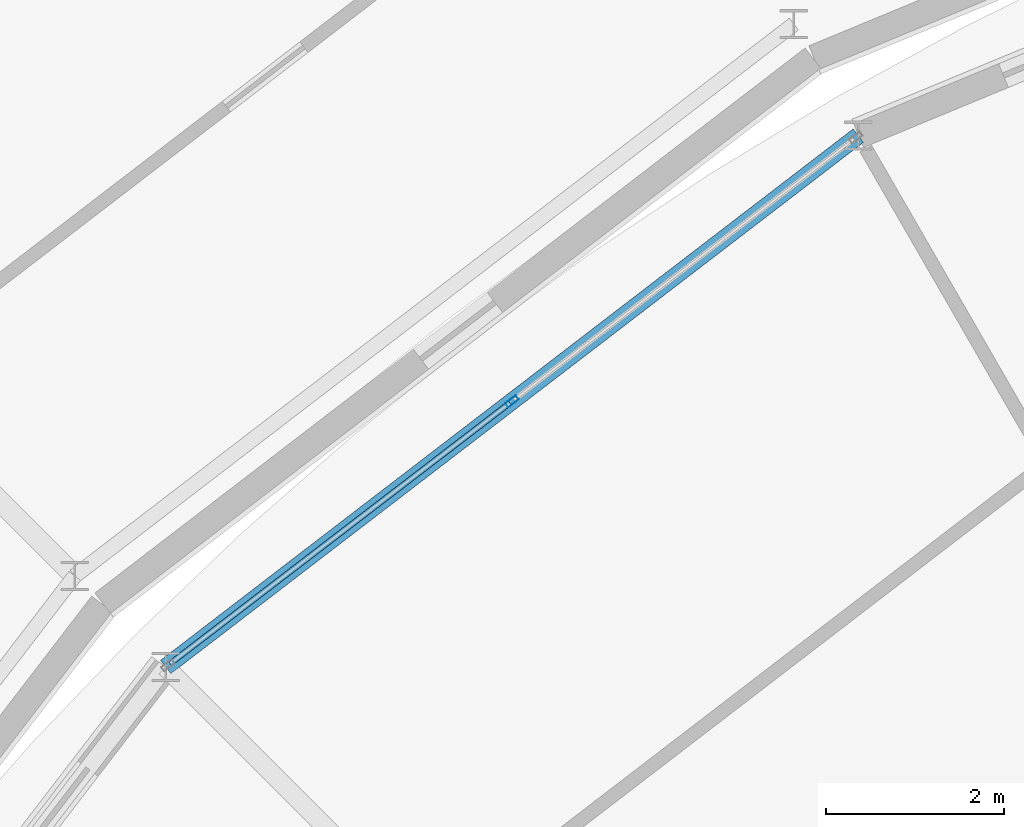
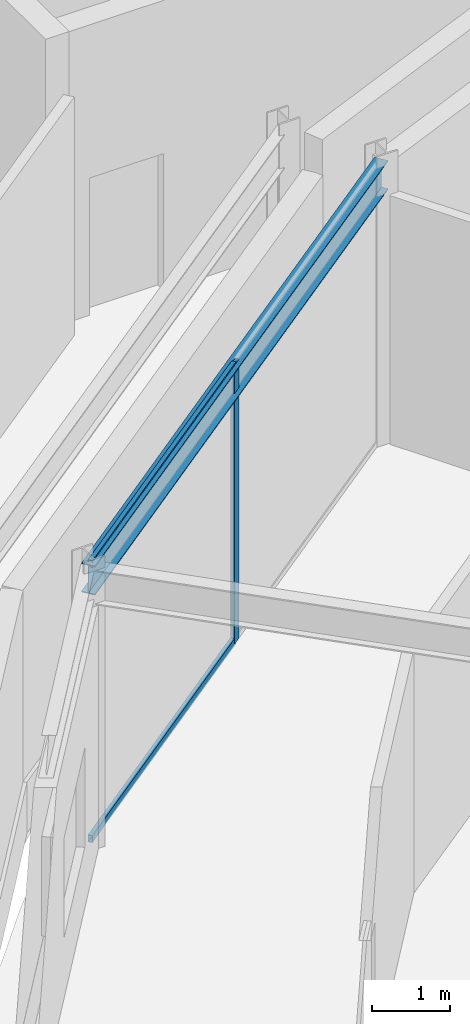
# One storey, part 54 of 133: 3 members, 1 beam, 1 element without a shape of its own.
"""IFC4 building model written with IfcOpenShell, lengths in metres."""

import ifcopenshell
import ifcopenshell.guid

model = None  # the IFC model being written
_history = None  # IfcOwnerHistory: only IFC2X3 demands one
_inside = {}  # id of a spatial element -> (the spatial element, [elements in it])
_under = {}  # id of a project, library or spatial element -> (it, [spatial elements below it])
_declared = {}  # id of a project -> (the project, [libraries it declares])
_typed = {}  # id of a type object -> (the type object, [elements of that type])
_made_of = {}  # id of a material, layer set ... -> (it, [elements and type objects made of it])


def new_model(schema):
    """Start an empty IFC model of exactly this schema.

    Asked for "IFC4X3", IfcOpenShell would pick the latest addendum, in which some entities
    have other attributes; the version numbers below select the first issue.
    IFC2X3 requires an IfcOwnerHistory on every rooted entity: one is made here for all.
    """
    global model, _history
    if schema == "IFC4X3":
        model = ifcopenshell.file(schema_version=(4, 3, 0, 0))
    else:
        model = ifcopenshell.file(schema=schema)
    _inside.clear()
    _under.clear()
    _declared.clear()
    _typed.clear()
    _made_of.clear()
    _history = None
    if model.schema == "IFC2X3":
        org = make("IfcOrganization", Name="unknown")
        user = make(
            "IfcPersonAndOrganization",
            ThePerson=make("IfcPerson", FamilyName="unknown"),
            TheOrganization=org,
        )
        app = make(
            "IfcApplication",
            ApplicationDeveloper=org,
            Version="unknown",
            ApplicationFullName="unknown",
            ApplicationIdentifier="unknown",
        )
        _history = make(
            "IfcOwnerHistory",
            OwningUser=user,
            OwningApplication=app,
            ChangeAction="ADDED",
            CreationDate=0,
        )
    return model


def make(cls, **values):
    """One entity of the class cls with the attributes given. An attribute that is None is left unset."""
    return model.create_entity(
        cls, **{name: value for name, value in values.items() if value is not None}
    )


def rooted(cls, **values):
    """An entity with a GlobalId (a new one), such as an element, a storey or a relation."""
    return make(cls, GlobalId=ifcopenshell.guid.new(), OwnerHistory=_history, **values)


def si_unit(unit_type, name, prefix=None):
    """IfcSIUnit, for example si_unit("LENGTHUNIT", "METRE", prefix="MILLI")."""
    return make("IfcSIUnit", UnitType=unit_type, Prefix=prefix, Name=name)


def assignment(units):
    """IfcUnitAssignment: the units of a project."""
    return None if units is None else make("IfcUnitAssignment", Units=units)


def point(xyz):
    """IfcCartesianPoint."""
    return None if xyz is None else make("IfcCartesianPoint", Coordinates=xyz)


def direction(xyz):
    """IfcDirection."""
    return None if xyz is None else make("IfcDirection", DirectionRatios=xyz)


def frame(location, z_axis=None, x_axis=None):
    """IfcAxis2Placement3D, a coordinate frame: its origin and axes. An axis left out is left unset."""
    return make(
        "IfcAxis2Placement3D",
        Location=point(location),
        Axis=direction(z_axis),
        RefDirection=direction(x_axis),
    )


def frame_2d(location, x_axis=None):
    """IfcAxis2Placement2D, a coordinate frame in the plane: its origin and x axis."""
    return make(
        "IfcAxis2Placement2D", Location=point(location), RefDirection=direction(x_axis)
    )


def origin():
    """The frame at (0, 0, 0) with its axes left unset."""
    return frame((0.0, 0.0, 0.0))


def origin_2d():
    """The frame at (0, 0) in the plane with its x axis left unset."""
    return frame_2d((0.0, 0.0))


def place(relative_to, where):
    """IfcLocalPlacement: puts the frame where relative to a parent placement (None: the world)."""
    return make(
        "IfcLocalPlacement", PlacementRelTo=relative_to, RelativePlacement=where
    )


def context(
    kind, dimensions, precision=None, world=None, true_north=None, identifier=None
):
    """IfcGeometricRepresentationContext, for example the 3D "Model" context."""
    return make(
        "IfcGeometricRepresentationContext",
        ContextIdentifier=identifier,
        ContextType=kind,
        CoordinateSpaceDimension=dimensions,
        Precision=precision,
        WorldCoordinateSystem=world,
        TrueNorth=true_north,
    )


def subcontext(parent, identifier, kind, view, scale=None):
    """IfcGeometricRepresentationSubContext, for example "Body" below "Model"."""
    return make(
        "IfcGeometricRepresentationSubContext",
        ContextIdentifier=identifier,
        ContextType=kind,
        ParentContext=parent,
        TargetScale=scale,
        TargetView=view,
    )


def project(units=None, contexts=None):
    """IfcProject with its units and contexts."""
    return rooted(
        "IfcProject",
        Name="project",
        RepresentationContexts=contexts,
        UnitsInContext=assignment(units),
    )


def spatial(cls, under=None, at=None, **own):
    """A site, building, storey or space (cls), placed at a placement, below another one or the project."""
    s = rooted(cls, ObjectPlacement=at, **own)
    if under is not None:
        _under.setdefault(under.id(), (under, []))[1].append(s)
    return s


def profile(cls, at=None, kind="AREA", **sizes):
    """A parametric profile (cls). Its sizes go by their IFC names, for example OverallWidth=200.0."""
    return make(cls, ProfileType=kind, Position=at, **sizes)


def hollow_rectangle(**sizes):
    """IfcRectangleHollowProfileDef."""
    return profile("IfcRectangleHollowProfileDef", **sizes)


def i_section(**sizes):
    """IfcIShapeProfileDef."""
    return profile("IfcIShapeProfileDef", **sizes)


def extrude(swept, where, along, depth):
    """IfcExtrudedAreaSolid: the profile swept, set in the frame where, extruded along a direction by depth."""
    return make(
        "IfcExtrudedAreaSolid",
        SweptArea=swept,
        Position=where,
        ExtrudedDirection=direction(along),
        Depth=depth,
    )


def shape(context_of_items, identifier, shape_type, items):
    """IfcShapeRepresentation: the items that make up one representation, for example the "Body"."""
    return make(
        "IfcShapeRepresentation",
        ContextOfItems=context_of_items,
        RepresentationIdentifier=identifier,
        RepresentationType=shape_type,
        Items=items,
    )


def material(Name=None, Category=None):
    """IfcMaterial."""
    return make("IfcMaterial", Name=Name, Category=Category)


def material_profile(
    of_material, cross_section, Name=None, Category=None, Priority=None
):
    """IfcMaterialProfile: a cross section and its material."""
    return make(
        "IfcMaterialProfile",
        Name=Name,
        Material=of_material,
        Profile=cross_section,
        Priority=Priority,
        Category=Category,
    )


def profile_set(profiles, Name=None, composite=None):
    """IfcMaterialProfileSet."""
    return make(
        "IfcMaterialProfileSet",
        Name=Name,
        MaterialProfiles=profiles,
        CompositeProfile=composite,
    )


def made_of(thing, what):
    """Note that an element or type object is made of a material, layer set ...; save() writes the relation."""
    if what is not None:
        _made_of.setdefault(what.id(), (what, []))[1].append(thing)
    return thing


def type_object(cls, material=None, **own):
    """A type object (cls), such as IfcWallType, which elements share."""
    return made_of(rooted(cls, **own), material)


def element(
    cls,
    number,
    at=None,
    inside=None,
    cuts=None,
    type_object=None,
    material=None,
    context=None,
    identifier="Body",
    shape_type=None,
    held_by="IfcProductDefinitionShape",
    body=None,
    shapes=None,
    **own,
):
    """One element of the class cls, such as IfcWall. Its Tag is "e" and its number.

    at: its placement. inside: the storey or other place that contains it. cuts: it is an
    opening in that element (IfcRelVoidsElement). A single representation is given by context,
    identifier, shape_type and body (its items); several are given by shapes. held_by: the class
    of the entity that holds the representations. save() writes the other relations.
    """
    e = rooted(cls, Tag="e%d" % number, ObjectPlacement=at, **own)
    if body is not None:
        shapes = [shape(context, identifier, shape_type, body)]
    if shapes is not None:
        e.Representation = make(held_by, Representations=shapes)
    if inside is not None:
        _inside.setdefault(inside.id(), (inside, []))[1].append(e)
    if cuts is not None:
        rooted(
            "IfcRelVoidsElement", RelatingBuildingElement=cuts, RelatedOpeningElement=e
        )
    if type_object is not None:
        _typed.setdefault(type_object.id(), (type_object, []))[1].append(e)
    return made_of(e, material)


def aggregate(whole, parts):
    """IfcRelAggregates: a whole, such as a stair, and the parts it consists of."""
    return rooted("IfcRelAggregates", RelatingObject=whole, RelatedObjects=parts)


def save(model, path):
    """Write the relations noted so far, then the file.

    IfcRelAggregates (storeys below a building ...), IfcRelContainedInSpatialStructure (elements
    in a storey), IfcRelDefinesByType, IfcRelAssociatesMaterial and IfcRelDeclares: one each for
    every whole, place, type object, material and project.
    """
    for whole, parts in _under.values():
        aggregate(whole, parts)
    for where, things in _inside.values():
        rooted(
            "IfcRelContainedInSpatialStructure",
            RelatedElements=things,
            RelatingStructure=where,
        )
    for kind, things in _typed.values():
        rooted("IfcRelDefinesByType", RelatedObjects=things, RelatingType=kind)
    for what, things in _made_of.values():
        rooted("IfcRelAssociatesMaterial", RelatedObjects=things, RelatingMaterial=what)
    for by, libraries in _declared.values():
        rooted("IfcRelDeclares", RelatingContext=by, RelatedDefinitions=libraries)
    model.write(path)


model = new_model("IFC4")

# Units and contexts
model_context = context("Model", 3, precision=1e-05, world=origin(), true_north=direction((0.0, 1.0)))
body_context = subcontext(model_context, "Body", "Model", "MODEL_VIEW")
ifc_project = project(units=[si_unit("LENGTHUNIT", "METRE"), si_unit("AREAUNIT", "SQUARE_METRE"), si_unit("VOLUMEUNIT", "CUBIC_METRE"), si_unit("PLANEANGLEUNIT", "RADIAN"), si_unit("MASSUNIT", "GRAM", prefix="KILO")], contexts=[model_context])

# Site, building, storey
site_placement = place(None, origin())
site = spatial("IfcSite", under=ifc_project, at=site_placement, CompositionType="ELEMENT")
building_placement = place(site_placement, origin())
building = spatial("IfcBuilding", under=site, at=building_placement, Name="Almandine Court Research Institute", CompositionType="ELEMENT")
storey_placement = place(building_placement, frame((0.0, 0.0, 9.800048828125)))
storey = spatial("IfcBuildingStorey", under=building, at=storey_placement, Name="L02", CompositionType="ELEMENT", Elevation=9.800048828125)

# Beam
ifc_material_1 = material(Name="Steel ASTM A992 Grade 50", Category="steel")
ifc_material_profile_1 = material_profile(ifc_material_1, i_section(OverallWidth=0.18994140625, OverallDepth=0.45703125, WebThickness=0.009033203125, FlangeThickness=0.014892578125, at=origin_2d()), Name="W460x74")
ifc_profile_set_1 = profile_set([ifc_material_profile_1], Name="Steel ASTM A992 Grade 50")
beam_type = type_object("IfcBeamType", Name="Beam-B-01", PredefinedType="BEAM", material=ifc_profile_set_1)
beam_placement = place(storey_placement, frame((68.175048828125, 88.60595703125, 4.140869140625), z_axis=(-0.793391623282, -0.608711534396, 0.0), x_axis=(0.608711534396, -0.793391623282, 0.0)))
element("IfcBeam", 1, at=beam_placement, inside=storey, type_object=beam_type, Name="L02 Atrium Outer Ring Beam", PredefinedType="BEAM", context=body_context, shape_type="SweptSolid", body=[
    extrude(i_section(OverallWidth=0.18994140625, OverallDepth=0.45703125, WebThickness=0.009033203125, FlangeThickness=0.014892578125, at=origin_2d()), origin(), (0.0, 0.0, 1.0), 9.828857421875),
])

# Curtain wall, members
ifc_material_2 = material(Name="Unitised Curtain Wall Framing and Solar Glazing", Category="glass")
curtain_wall_type = type_object("IfcCurtainWallType", Name="CW-CWG-24", PredefinedType="USERDEFINED", material=ifc_material_2)
curtain_wall_placement = place(storey_placement, origin())
curtain_wall = element("IfcCurtainWall", 2, at=curtain_wall_placement, inside=storey, type_object=curtain_wall_type, Name="L02 Interaction Atrium Perimeter Curtain Wall 08", ObjectType="UNITISED GLAZING", PredefinedType="USERDEFINED")
ifc_material_3 = material(Name="Anodised Aluminium AW-6063-T6", Category="aluminium")
ifc_material_profile_2 = material_profile(ifc_material_3, hollow_rectangle(XDim=0.06005859375, YDim=0.14990234375, WallThickness=0.00390625, at=origin_2d()), Name="ALU RHS 60x150x4")
ifc_profile_set_2 = profile_set([ifc_material_profile_2], Name="Anodised Aluminium AW-6063-T6")
member_type_1 = type_object("IfcMemberType", Name="CWMul-60x150", PredefinedType="MULLION", material=ifc_profile_set_2)
member_1_placement = place(storey_placement, frame((64.27587890625, 85.614501953125, 0.0), z_axis=(0.0, 0.0, 1.0), x_axis=(-0.608760667029, 0.793353924979, 0.0)))
member_1 = element("IfcMember", 3, at=member_1_placement, type_object=member_type_1, Name="CWG-24 mullion 2", PredefinedType="MULLION", context=body_context, shape_type="SweptSolid", body=[
    extrude(hollow_rectangle(XDim=0.06005859375, YDim=0.14990234375, WallThickness=0.00390625, at=origin_2d()), origin(), (0.0, 0.0, 1.0), 4.369873046875),
])
ifc_material_profile_3 = material_profile(ifc_material_3, hollow_rectangle(XDim=0.06005859375, YDim=0.110107421875, WallThickness=0.00390625, at=origin_2d()), Name="ALU RHS 60x110x4")
ifc_profile_set_3 = profile_set([ifc_material_profile_3], Name="Anodised Aluminium AW-6063-T6")
member_type_2 = type_object("IfcMemberType", Name="CWTrn-60x110", PredefinedType="NOTDEFINED", material=ifc_profile_set_3)
member_2_placement = place(storey_placement, frame((60.427490234375, 82.66162109375, 0.030029296875), z_axis=(0.793376443338, 0.608731319349, 0.0), x_axis=(-0.608731319349, 0.793376443338, 0.0)))
member_2 = element("IfcMember", 4, at=member_2_placement, type_object=member_type_2, Name="CWG-24 transom 1.1", ObjectType="TRANSOM", PredefinedType="USERDEFINED", context=body_context, shape_type="SweptSolid", body=[
    extrude(hollow_rectangle(XDim=0.06005859375, YDim=0.110107421875, WallThickness=0.00390625, at=origin_2d()), origin(), (0.0, 0.0, 1.0), 4.82080078125),
])
member_3_placement = place(storey_placement, frame((60.427490234375, 82.66162109375, 4.33984375), z_axis=(0.793376443338, 0.608731319349, 0.0), x_axis=(-0.608731319349, 0.793376443338, 0.0)))
member_3 = element("IfcMember", 5, at=member_3_placement, type_object=member_type_2, Name="CWG-24 transom 1.2", ObjectType="TRANSOM", PredefinedType="USERDEFINED", context=body_context, shape_type="SweptSolid", body=[
    extrude(hollow_rectangle(XDim=0.06005859375, YDim=0.110107421875, WallThickness=0.00390625, at=origin_2d()), origin(), (0.0, 0.0, 1.0), 4.82080078125),
])
aggregate(curtain_wall, [member_1, member_2, member_3])

save(model, "model.ifc")
